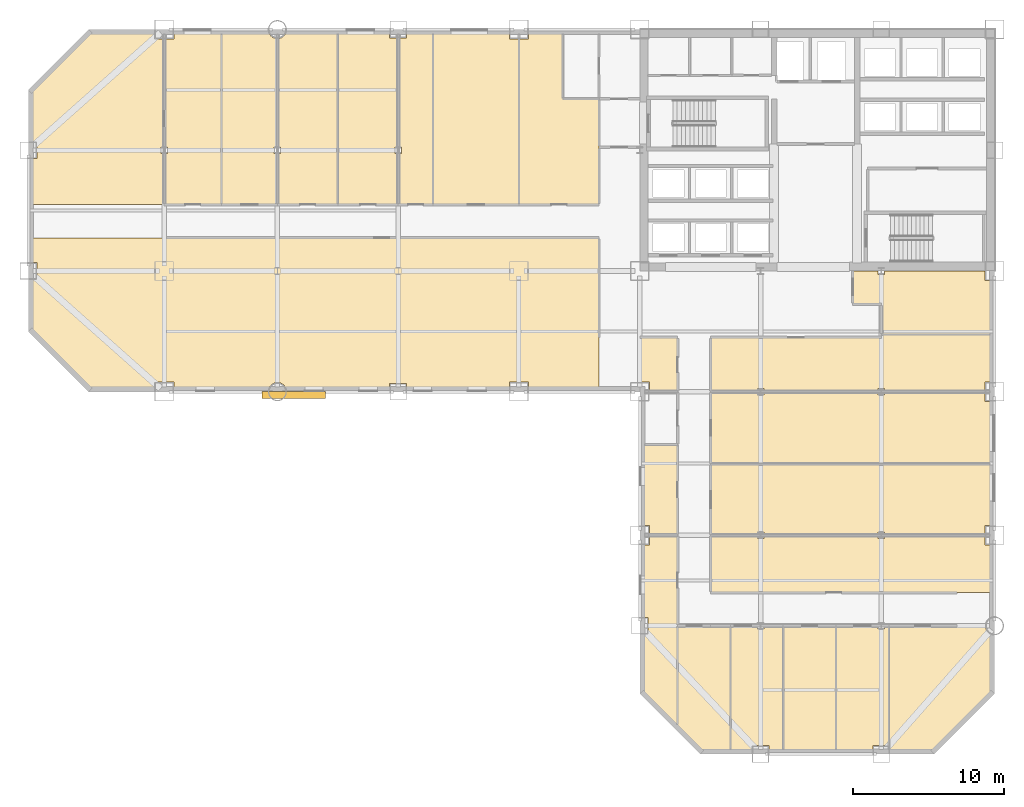
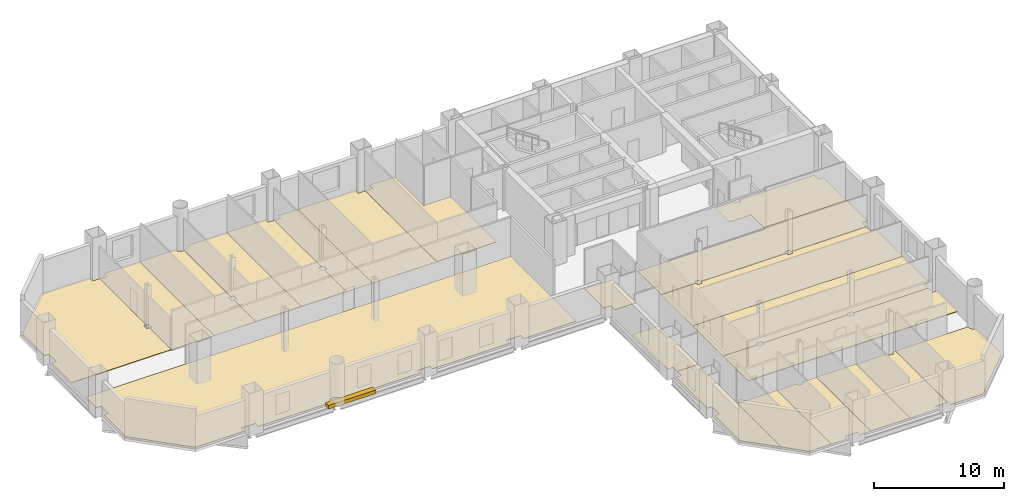
# One storey, part 8 of 9: 22 coverings, 1 shading device.
"""IFC4 building model written with IfcOpenShell, lengths in metres."""

from ifc_helpers import new_model, si_unit, direction, frame, origin, origin_2d, place, context, subcontext, project, spatial, polyline, rectangle, outline, extrude, material, layer, layer_set, type_object, element, save


model = new_model("IFC4")

# Units and contexts
model_context = context("Model", 3, precision=1e-05, world=origin(), true_north=direction((0.0, 1.0)))
body_context = subcontext(model_context, "Body", "Model", "MODEL_VIEW")
ifc_project = project(units=[si_unit("LENGTHUNIT", "METRE"), si_unit("AREAUNIT", "SQUARE_METRE"), si_unit("VOLUMEUNIT", "CUBIC_METRE"), si_unit("PLANEANGLEUNIT", "RADIAN"), si_unit("MASSUNIT", "GRAM", prefix="KILO")], contexts=[model_context])

# Site, building, storey
site_placement = place(None, origin())
site = spatial("IfcSite", under=ifc_project, at=site_placement, CompositionType="ELEMENT")
building_placement = place(site_placement, origin())
building = spatial("IfcBuilding", under=site, at=building_placement, Name="Qianrong Seaharbour Tower", CompositionType="ELEMENT")
storey_placement = place(building_placement, frame((0.0, 0.0, 40.199951171875)))
storey = spatial("IfcBuildingStorey", under=building, at=storey_placement, Name="L09", CompositionType="ELEMENT", Elevation=40.199951171875)

# Coverings
ifc_material_1 = material(Name="Acoustic modular carpet tile flooring")
ifc_layer_1 = layer(ifc_material_1, 0.02001953125)
ifc_layer_set_1 = layer_set([ifc_layer_1], Name="Acoustic modular carpet tile flooring")
covering_type_1 = type_object("IfcCoveringType", Name="COV-FLOOR-CARPET-20", PredefinedType="FLOORING", material=ifc_layer_set_1)
covering_1_placement = place(storey_placement, origin())
element("IfcCovering", 1, at=covering_1_placement, inside=storey, type_object=covering_type_1, Name="L09 Focus Room 2 Finish Flooring", PredefinedType="FLOORING", context=body_context, shape_type="SweptSolid", body=[
    extrude(outline(polyline([(9.0, 43.77587890625), (9.21337890625, 43.77587890625), (9.21337890625, 44.22412109375), (9.0, 44.22412109375), (9.0, 51.364990234375), (9.635009765625, 51.364990234375), (9.635009765625, 51.8349609375), (12.800048828125, 51.8349609375), (12.800048828125, 40.39990234375), (9.0, 40.39990234375), (9.0, 43.77587890625)])), origin(), (0.0, 0.0, 1.0), 0.02001953125),
])
covering_2_placement = place(storey_placement, origin())
element("IfcCovering", 2, at=covering_2_placement, inside=storey, type_object=covering_type_1, Name="L09 Meeting Room 3 Finish Flooring", PredefinedType="FLOORING", context=body_context, shape_type="SweptSolid", body=[
    extrude(outline(polyline([(12.800048828125, 51.8349609375), (15.915771484375, 51.8349609375), (15.936279296875, 51.7666015625), (15.992919921875, 51.6611328125), (16.068603515625, 51.568603515625), (16.1611328125, 51.492919921875), (16.2666015625, 51.436279296875), (16.381103515625, 51.401611328125), (16.5, 51.389892578125), (16.5, 44.22412109375), (16.28662109375, 44.22412109375), (16.28662109375, 43.77587890625), (16.5, 43.77587890625), (16.5, 40.39990234375), (12.800048828125, 40.39990234375), (12.800048828125, 51.8349609375)])), origin(), (0.0, 0.0, 1.0), 0.02001953125),
])
covering_3_placement = place(storey_placement, origin())
element("IfcCovering", 3, at=covering_3_placement, inside=storey, type_object=covering_type_1, Name="L09 Focus Room 6 Finish Flooring", PredefinedType="FLOORING", context=body_context, shape_type="SweptSolid", body=[
    extrude(outline(polyline([(24.5, 43.77587890625), (24.71337890625, 43.77587890625), (24.71337890625, 44.22412109375), (24.5, 44.22412109375), (24.5, 51.43994140625), (25.06005859375, 51.43994140625), (25.06005859375, 51.8349609375), (26.800048828125, 51.8349609375), (26.800048828125, 40.39990234375), (24.5, 40.39990234375), (24.5, 43.77587890625)])), origin(), (0.0, 0.0, 1.0), 0.02001953125),
])
covering_4_placement = place(storey_placement, origin())
element("IfcCovering", 4, at=covering_4_placement, inside=storey, type_object=covering_type_1, Name="L09 Meeting Room 7 Finish Flooring", PredefinedType="FLOORING", context=body_context, shape_type="SweptSolid", body=[
    extrude(outline(polyline([(26.800048828125, 51.8349609375), (31.864990234375, 51.8349609375), (31.864990234375, 51.364990234375), (32.5, 51.364990234375), (32.5, 40.39990234375), (26.800048828125, 40.39990234375), (26.800048828125, 51.8349609375)])), origin(), (0.0, 0.0, 1.0), 0.02001953125),
])
covering_5_placement = place(storey_placement, origin())
element("IfcCovering", 5, at=covering_5_placement, inside=storey, type_object=covering_type_1, Name="L09 Boardroom 2 Finish Flooring", PredefinedType="FLOORING", context=body_context, shape_type="SweptSolid", body=[
    extrude(outline(polyline([(63.8349609375, 23.199951171875), (63.8349609375, 19.135009765625), (63.364990234375, 19.135009765625), (63.364990234375, 18.5), (56.71337890625, 18.5), (56.71337890625, 18.72412109375), (56.28662109375, 18.72412109375), (56.28662109375, 18.5), (48.71337890625, 18.5), (48.71337890625, 18.72412109375), (48.28662109375, 18.72412109375), (48.28662109375, 18.5), (45.199951171875, 18.5), (45.199951171875, 23.199951171875), (63.8349609375, 23.199951171875)])), origin(), (0.0, 0.0, 1.0), 0.02001953125),
])
covering_6_placement = place(storey_placement, origin())
element("IfcCovering", 6, at=covering_6_placement, inside=storey, type_object=covering_type_1, Name="L09 Focus Room 3 Finish Flooring", PredefinedType="FLOORING", context=body_context, shape_type="SweptSolid", body=[
    extrude(outline(polyline([(48.28662109375, 28.0), (48.28662109375, 27.77587890625), (48.71337890625, 27.77587890625), (48.71337890625, 28.0), (56.28662109375, 28.0), (56.28662109375, 27.77587890625), (56.71337890625, 27.77587890625), (56.71337890625, 28.0), (63.364990234375, 28.0), (63.364990234375, 27.364990234375), (63.8349609375, 27.364990234375), (63.8349609375, 23.199951171875), (45.199951171875, 23.199951171875), (45.199951171875, 28.0), (48.28662109375, 28.0)])), origin(), (0.0, 0.0, 1.0), 0.02001953125),
])
covering_7_placement = place(storey_placement, origin())
element("IfcCovering", 7, at=covering_7_placement, inside=storey, type_object=covering_type_1, Name="L09 Boardroom 5 Finish Flooring", PredefinedType="FLOORING", context=body_context, shape_type="SweptSolid", body=[
    extrude(outline(polyline([(63.8349609375, 31.800048828125), (56.5, 31.800048828125), (56.5, 33.800048828125), (54.60009765625, 33.800048828125), (54.60009765625, 36.0), (56.28662109375, 36.0), (56.28662109375, 35.77587890625), (56.71337890625, 35.77587890625), (56.71337890625, 36.0), (63.364990234375, 36.0), (63.364990234375, 35.364990234375), (63.8349609375, 35.364990234375), (63.8349609375, 31.800048828125)])), origin(), (0.0, 0.0, 1.0), 0.02001953125),
])
covering_8_placement = place(storey_placement, origin())
element("IfcCovering", 8, at=covering_8_placement, inside=storey, type_object=covering_type_1, Name="L09 Wet Pantry 2 Finish Flooring", PredefinedType="FLOORING", context=body_context, shape_type="SweptSolid", body=[
    extrude(outline(polyline([(41.135009765625, 18.5), (41.135009765625, 19.135009765625), (40.6650390625, 19.135009765625), (40.6650390625, 24.5), (43.0, 24.5), (43.0, 18.5), (41.135009765625, 18.5)])), origin(), (0.0, 0.0, 1.0), 0.02001953125),
])
covering_9_placement = place(storey_placement, origin())
element("IfcCovering", 9, at=covering_9_placement, inside=storey, type_object=covering_type_1, Name="L09 Meeting Room 2 Finish Flooring", PredefinedType="FLOORING", context=body_context, shape_type="SweptSolid", body=[
    extrude(outline(polyline([(50.0, 4.1650390625), (49.06005859375, 4.1650390625), (49.06005859375, 4.56005859375), (47.93994140625, 4.56005859375), (47.93994140625, 4.1650390625), (46.5, 4.1650390625), (46.5, 12.5), (48.28662109375, 12.5), (48.28662109375, 12.27587890625), (48.71337890625, 12.27587890625), (48.71337890625, 12.5), (50.0, 12.5), (50.0, 4.1650390625)])), origin(), (0.0, 0.0, 1.0), 0.02001953125),
])
covering_10_placement = place(storey_placement, origin())
element("IfcCovering", 10, at=covering_10_placement, inside=storey, type_object=covering_type_1, Name="L09 Meeting Room 4 Finish Flooring", PredefinedType="FLOORING", context=body_context, shape_type="SweptSolid", body=[
    extrude(outline(polyline([(57.0, 4.56005859375), (55.93994140625, 4.56005859375), (55.93994140625, 4.1650390625), (53.5, 4.1650390625), (53.5, 12.5), (56.28662109375, 12.5), (56.28662109375, 12.27587890625), (56.71337890625, 12.27587890625), (56.71337890625, 12.5), (57.0, 12.5), (57.0, 4.56005859375)])), origin(), (0.0, 0.0, 1.0), 0.02001953125),
])
ifc_material_2 = material(Name="Calcium-sulphate raised access floor tile")
ifc_layer_2 = layer(ifc_material_2, 0.044921875)
ifc_layer_set_2 = layer_set([ifc_layer_2], Name="Calcium-sulphate raised access floor tile")
covering_type_2 = type_object("IfcCoveringType", Name="COV-FLOOR-RAISED-45", PredefinedType="FLOORING", material=ifc_layer_set_2)
covering_11_placement = place(storey_placement, origin())
element("IfcCovering", 11, at=covering_11_placement, inside=storey, type_object=covering_type_2, Name="L09 Open-Plan Office Finish Flooring", PredefinedType="FLOORING", context=body_context, shape_type="SweptSolid", body=[
    extrude(outline(polyline([(33.135009765625, 28.1650390625), (33.135009765625, 28.635009765625), (31.864990234375, 28.635009765625), (31.864990234375, 28.1650390625), (25.06005859375, 28.1650390625), (25.06005859375, 28.56005859375), (23.93994140625, 28.56005859375), (23.93994140625, 28.1650390625), (17.084228515625, 28.1650390625), (17.063720703125, 28.2333984375), (17.007080078125, 28.3388671875), (16.931396484375, 28.431396484375), (16.8388671875, 28.507080078125), (16.7333984375, 28.563720703125), (16.618896484375, 28.598388671875), (16.5, 28.610107421875), (16.381103515625, 28.598388671875), (16.2666015625, 28.563720703125), (16.1611328125, 28.507080078125), (16.068603515625, 28.431396484375), (15.992919921875, 28.3388671875), (15.936279296875, 28.2333984375), (15.915771484375, 28.1650390625), (9.635009765625, 28.1650390625), (9.635009765625, 28.635009765625), (8.364990234375, 28.635009765625), (8.364990234375, 28.1650390625), (4.068359375, 28.1650390625), (0.1650390625, 32.068359375), (0.1650390625, 35.43994140625), (0.56005859375, 35.43994140625), (0.56005859375, 36.56005859375), (0.1650390625, 36.56005859375), (0.1650390625, 38.199951171875), (37.800048828125, 38.199951171875), (37.800048828125, 28.1650390625), (33.135009765625, 28.1650390625)])), origin(), (0.0, 0.0, 1.0), 0.045166015625),
])
covering_12_placement = place(storey_placement, origin())
element("IfcCovering", 12, at=covering_12_placement, inside=storey, type_object=covering_type_2, Name="L09 Executive Office 1 Finish Flooring", PredefinedType="FLOORING", context=body_context, shape_type="SweptSolid", body=[
    extrude(outline(polyline([(0.1650390625, 43.43994140625), (0.56005859375, 43.43994140625), (0.56005859375, 44.56005859375), (0.1650390625, 44.56005859375), (0.1650390625, 47.931640625), (4.068359375, 51.8349609375), (8.364990234375, 51.8349609375), (8.364990234375, 51.364990234375), (9.0, 51.364990234375), (9.0, 44.22412109375), (8.78662109375, 44.22412109375), (8.78662109375, 43.77587890625), (9.0, 43.77587890625), (9.0, 40.39990234375), (0.1650390625, 40.39990234375), (0.1650390625, 43.43994140625)])), origin(), (0.0, 0.0, 1.0), 0.045166015625),
])
covering_13_placement = place(storey_placement, origin())
element("IfcCovering", 13, at=covering_13_placement, inside=storey, type_object=covering_type_2, Name="L09 Executive Office 4 Finish Flooring", PredefinedType="FLOORING", context=body_context, shape_type="SweptSolid", body=[
    extrude(outline(polyline([(16.5, 43.77587890625), (16.71337890625, 43.77587890625), (16.71337890625, 44.22412109375), (16.5, 44.22412109375), (16.5, 51.389892578125), (16.618896484375, 51.401611328125), (16.7333984375, 51.436279296875), (16.8388671875, 51.492919921875), (16.931396484375, 51.568603515625), (17.007080078125, 51.6611328125), (17.063720703125, 51.7666015625), (17.084228515625, 51.8349609375), (20.5, 51.8349609375), (20.5, 40.39990234375), (16.5, 40.39990234375), (16.5, 43.77587890625)])), origin(), (0.0, 0.0, 1.0), 0.045166015625),
])
covering_14_placement = place(storey_placement, origin())
element("IfcCovering", 14, at=covering_14_placement, inside=storey, type_object=covering_type_2, Name="L09 Executive Office 5 Finish Flooring", PredefinedType="FLOORING", context=body_context, shape_type="SweptSolid", body=[
    extrude(outline(polyline([(20.5, 51.8349609375), (23.93994140625, 51.8349609375), (23.93994140625, 51.43994140625), (24.5, 51.43994140625), (24.5, 44.22412109375), (24.28662109375, 44.22412109375), (24.28662109375, 43.77587890625), (24.5, 43.77587890625), (24.5, 40.39990234375), (20.5, 40.39990234375), (20.5, 51.8349609375)])), origin(), (0.0, 0.0, 1.0), 0.045166015625),
])
covering_15_placement = place(storey_placement, origin())
element("IfcCovering", 15, at=covering_15_placement, inside=storey, type_object=covering_type_2, Name="L09 Executive Office 8 Finish Flooring", PredefinedType="FLOORING", context=body_context, shape_type="SweptSolid", body=[
    extrude(outline(polyline([(32.5, 51.364990234375), (33.135009765625, 51.364990234375), (33.135009765625, 51.8349609375), (35.39990234375, 51.8349609375), (35.39990234375, 47.39990234375), (37.800048828125, 47.39990234375), (37.800048828125, 40.39990234375), (32.5, 40.39990234375), (32.5, 51.364990234375)])), origin(), (0.0, 0.0, 1.0), 0.045166015625),
])
covering_16_placement = place(storey_placement, origin())
element("IfcCovering", 16, at=covering_16_placement, inside=storey, type_object=covering_type_2, Name="L09 Executive Office 1 Finish Flooring", PredefinedType="FLOORING", context=body_context, shape_type="SweptSolid", body=[
    extrude(outline(polyline([(48.28662109375, 18.5), (48.28662109375, 18.27587890625), (48.71337890625, 18.27587890625), (48.71337890625, 18.5), (56.28662109375, 18.5), (56.28662109375, 18.27587890625), (56.71337890625, 18.27587890625), (56.71337890625, 18.5), (63.364990234375, 18.5), (63.364990234375, 17.864990234375), (63.8349609375, 17.864990234375), (63.8349609375, 14.699951171875), (45.199951171875, 14.699951171875), (45.199951171875, 18.5), (48.28662109375, 18.5)])), origin(), (0.0, 0.0, 1.0), 0.045166015625),
])
covering_17_placement = place(storey_placement, origin())
element("IfcCovering", 17, at=covering_17_placement, inside=storey, type_object=covering_type_2, Name="L09 Executive Office 4 Finish Flooring", PredefinedType="FLOORING", context=body_context, shape_type="SweptSolid", body=[
    extrude(outline(polyline([(56.5, 31.60009765625), (56.5, 31.800048828125), (63.8349609375, 31.800048828125), (63.8349609375, 28.635009765625), (63.364990234375, 28.635009765625), (63.364990234375, 28.0), (56.71337890625, 28.0), (56.71337890625, 28.22412109375), (56.28662109375, 28.22412109375), (56.28662109375, 28.0), (48.71337890625, 28.0), (48.71337890625, 28.22412109375), (48.28662109375, 28.22412109375), (48.28662109375, 28.0), (45.199951171875, 28.0), (45.199951171875, 31.60009765625), (56.5, 31.60009765625)])), origin(), (0.0, 0.0, 1.0), 0.045166015625),
])
covering_18_placement = place(storey_placement, origin())
element("IfcCovering", 18, at=covering_18_placement, inside=storey, type_object=covering_type_2, Name="L09 Executive Office 1 Finish Flooring", PredefinedType="FLOORING", context=body_context, shape_type="SweptSolid", body=[
    extrude(outline(polyline([(40.6650390625, 8.068359375), (40.6650390625, 11.93994140625), (41.06005859375, 11.93994140625), (41.06005859375, 13.06005859375), (40.6650390625, 13.06005859375), (40.6650390625, 17.864990234375), (41.135009765625, 17.864990234375), (41.135009765625, 18.5), (43.0, 18.5), (43.0, 5.7333984375), (40.6650390625, 8.068359375)])), origin(), (0.0, 0.0, 1.0), 0.045166015625),
])
covering_19_placement = place(storey_placement, origin())
element("IfcCovering", 19, at=covering_19_placement, inside=storey, type_object=covering_type_2, Name="L09 Executive Office 4 Finish Flooring", PredefinedType="FLOORING", context=body_context, shape_type="SweptSolid", body=[
    extrude(outline(polyline([(43.0, 28.0), (41.135009765625, 28.0), (41.135009765625, 28.635009765625), (40.5, 28.635009765625), (40.5, 31.60009765625), (43.0, 31.60009765625), (43.0, 28.0)])), origin(), (0.0, 0.0, 1.0), 0.045166015625),
])
covering_20_placement = place(storey_placement, origin())
element("IfcCovering", 20, at=covering_20_placement, inside=storey, type_object=covering_type_2, Name="L09 Executive Office 1 Finish Flooring", PredefinedType="FLOORING", context=body_context, shape_type="SweptSolid", body=[
    extrude(outline(polyline([(46.5, 4.1650390625), (44.568359375, 4.1650390625), (43.0, 5.7333984375), (43.0, 12.5), (46.5, 12.5), (46.5, 4.1650390625)])), origin(), (0.0, 0.0, 1.0), 0.045166015625),
])
covering_21_placement = place(storey_placement, origin())
element("IfcCovering", 21, at=covering_21_placement, inside=storey, type_object=covering_type_2, Name="L09 Executive Office 3 Finish Flooring", PredefinedType="FLOORING", context=body_context, shape_type="SweptSolid", body=[
    extrude(outline(polyline([(53.5, 4.1650390625), (50.0, 4.1650390625), (50.0, 12.5), (53.5, 12.5), (53.5, 4.1650390625)])), origin(), (0.0, 0.0, 1.0), 0.045166015625),
])
covering_22_placement = place(storey_placement, origin())
element("IfcCovering", 22, at=covering_22_placement, inside=storey, type_object=covering_type_2, Name="L09 Executive Office 5 Finish Flooring", PredefinedType="FLOORING", context=body_context, shape_type="SweptSolid", body=[
    extrude(outline(polyline([(63.8349609375, 8.068359375), (59.931640625, 4.1650390625), (57.06005859375, 4.1650390625), (57.06005859375, 4.56005859375), (57.0, 4.56005859375), (57.0, 12.5), (63.389892578125, 12.5), (63.401611328125, 12.381103515625), (63.436279296875, 12.2666015625), (63.492919921875, 12.1611328125), (63.568603515625, 12.068603515625), (63.6611328125, 11.992919921875), (63.7666015625, 11.936279296875), (63.8349609375, 11.915771484375), (63.8349609375, 8.068359375)])), origin(), (0.0, 0.0, 1.0), 0.045166015625),
])

# Shading device
ifc_material_3 = material(Name="White architectural precast concrete C45/55", Category="concrete")
shading_device_type = type_object("IfcShadingDeviceType", Name="SHD-SUNSHADE-WHITE-320", PredefinedType="AWNING", material=ifc_material_3)
shading_device_placement = place(storey_placement, frame((17.58740234375, 27.780029296875, -0.02001953125), z_axis=(0.0, 0.0, 1.0), x_axis=(1.0, 0.0, 0.0)))
element("IfcShadingDevice", 23, at=shading_device_placement, inside=storey, type_object=shading_device_type, Name="L09 Climbing White Precast Ribbon Canopy Fin", PredefinedType="AWNING", context=body_context, shape_type="SweptSolid", body=[
    extrude(rectangle(XDim=4.199951171875, YDim=0.4599609375, at=origin_2d()), origin(), (0.0, 0.0, 1.0), 0.340087890625),
])

save(model, "model.ifc")
